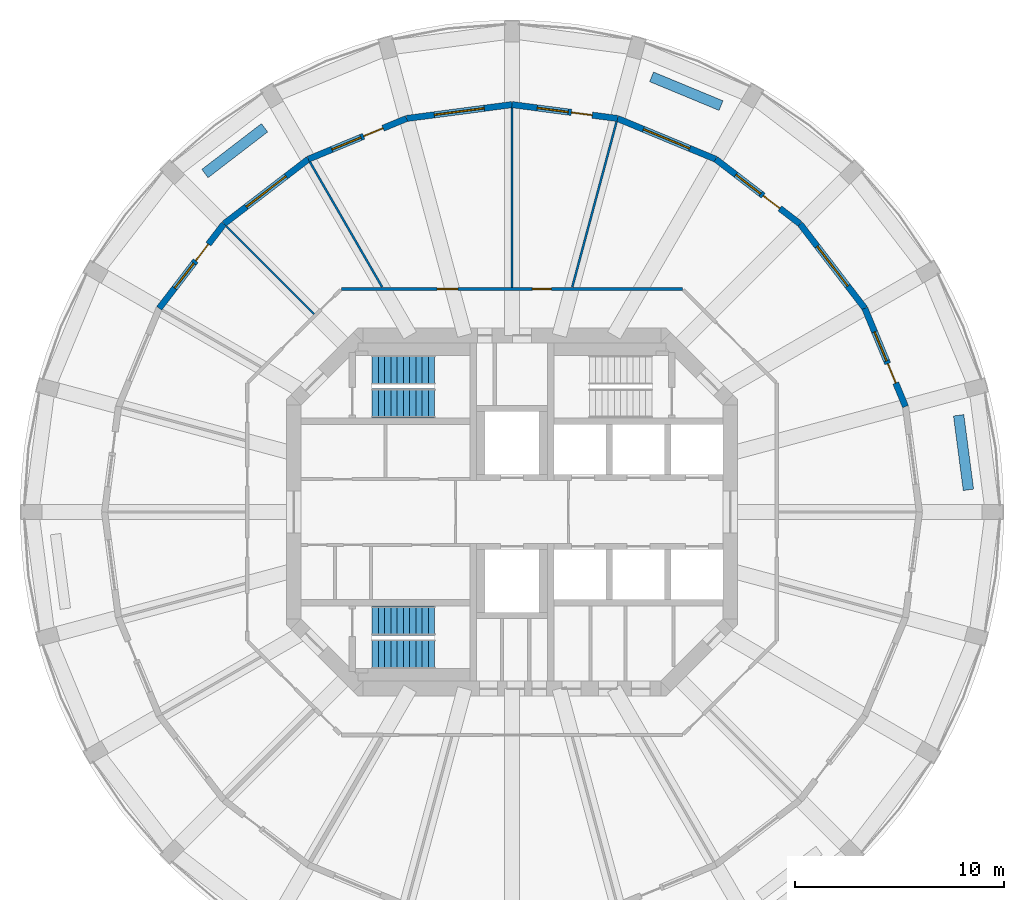
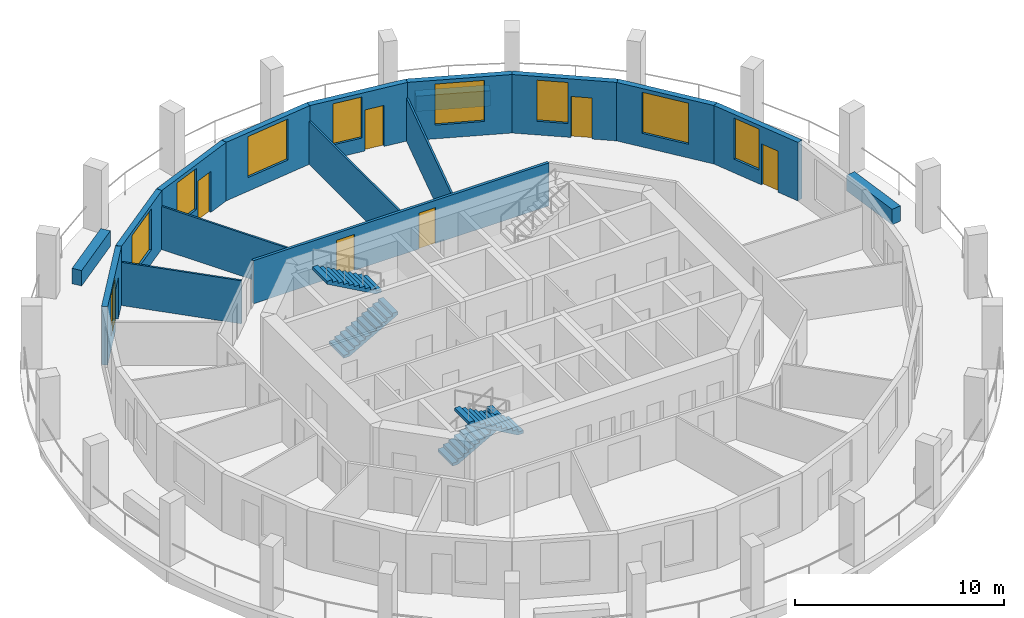
# One storey, part 6 of 9: 17 walls, 9 windows, 7 doors, 4 stair flights, 16 openings, 2 elements without a shape of their own.
"""IFC4 building model written with IfcOpenShell, lengths in metres."""

from ifc_helpers import new_model, si_unit, direction, frame, frame_2d, origin, place, context, subcontext, project, spatial, polyline, rectangle, outline, extrude, material, layer, layer_set, type_object, element, fill, aggregate, save


model = new_model("IFC4")

# Units and contexts
model_context = context("Model", 3, precision=1e-05, world=origin(), true_north=direction((0.0, 1.0)))
body_context = subcontext(model_context, "Body", "Model", "MODEL_VIEW")
ifc_project = project(units=[si_unit("LENGTHUNIT", "METRE"), si_unit("AREAUNIT", "SQUARE_METRE"), si_unit("VOLUMEUNIT", "CUBIC_METRE"), si_unit("PLANEANGLEUNIT", "RADIAN"), si_unit("MASSUNIT", "GRAM", prefix="KILO")], contexts=[model_context])

# Site, building, storey
site_placement = place(None, origin())
site = spatial("IfcSite", under=ifc_project, at=site_placement, CompositionType="ELEMENT")
building_placement = place(site_placement, origin())
building = spatial("IfcBuilding", under=site, at=building_placement, Name="Torre Triforio", CompositionType="ELEMENT")
storey_placement = place(building_placement, frame((0.0, 0.0, 215.0)))
storey = spatial("IfcBuildingStorey", under=building, at=storey_placement, Name="L49", CompositionType="ELEMENT", Elevation=215.0)

# Wall, openings, doors
ifc_material_1 = material(Name="Plasterboard on metal studs")
ifc_layer_1 = layer(ifc_material_1, 0.14990234375)
ifc_layer_set_1 = layer_set([ifc_layer_1], Name="Plasterboard on metal studs")
wall_type_1 = type_object("IfcWallType", Name="Corridor and tenancy wall 150 mm EI 60", PredefinedType="PARTITIONING", material=ifc_layer_set_1)
wall_1_placement = place(storey_placement, frame((-8.16650390625, 10.675048828125, 0.0), z_axis=(0.0, 0.0, 1.0), x_axis=(1.0, 0.0, 0.0)))
wall_1 = element("IfcWall", 1, at=wall_1_placement, inside=storey, type_object=wall_type_1, Name="Partition 8", PredefinedType="PARTITIONING", context=body_context, shape_type="SweptSolid", body=[
    extrude(rectangle(XDim=16.3330078125, YDim=0.14990234375, at=frame_2d((8.16650390625, 0.0))), origin(), (0.0, 0.0, 1.0), 2.52001953125),
])
opening_1_placement = place(wall_1_placement, frame((9.147705078125, 0.0, 0.0)))
opening_1 = element("IfcOpeningElement", 2, at=opening_1_placement, cuts=wall_1, Name="Opening O6-07", PredefinedType="OPENING", context=body_context, shape_type="SweptSolid", body=[
    extrude(rectangle(XDim=0.89990234375, YDim=2.10009765625, at=frame_2d((0.449951171875, 1.050048828125))), frame((0.0, 0.0849609375, 0.0), z_axis=(0.0, -1.0, 0.0), x_axis=(1.0, 0.0, 0.0)), (0.0, 0.0, 1.0), 0.169921875),
])
opening_2_placement = place(wall_1_placement, frame((4.5810546875, 0.0, 0.0)))
opening_2 = element("IfcOpeningElement", 3, at=opening_2_placement, cuts=wall_1, Name="Opening O6-08", PredefinedType="OPENING", context=body_context, shape_type="SweptSolid", body=[
    extrude(rectangle(XDim=1.0, YDim=2.10009765625, at=frame_2d((0.5, 1.050048828125))), frame((0.0, 0.0849609375, 0.0), z_axis=(0.0, -1.0, 0.0), x_axis=(1.0, 0.0, 0.0)), (0.0, 0.0, 1.0), 0.169921875),
])
ifc_material_2 = material(Name="Timber", Category="wood")
door_type_1 = type_object("IfcDoorType", Name="Door 1000 x 2100 single leaf EI 30", OperationType="NOTDEFINED", PredefinedType="DOOR", material=ifc_material_2)
door_1_placement = place(opening_2_placement, origin())
door_1 = element("IfcDoor", 4, at=door_1_placement, inside=storey, type_object=door_type_1, Name="Door O6-08", OperationType="SINGLE_SWING_RIGHT", OverallHeight=2.10009765625, OverallWidth=1.0, PredefinedType="DOOR", context=body_context, shape_type="SweptSolid", body=[
    extrude(rectangle(XDim=1.0, YDim=2.10009765625, at=frame_2d((0.5, 1.050048828125))), frame((0.0, 0.02490234375, 0.0), z_axis=(0.0, -1.0, 0.0), x_axis=(1.0, 0.0, 0.0)), (0.0, 0.0, 1.0), 0.050048828125),
])
fill(opening_2, door_1)
door_type_2 = type_object("IfcDoorType", Name="Door 900 x 2100 single leaf EI 30", OperationType="NOTDEFINED", PredefinedType="DOOR", material=ifc_material_2)
door_2_placement = place(opening_1_placement, origin())
door_2 = element("IfcDoor", 5, at=door_2_placement, inside=storey, type_object=door_type_2, Name="Door O6-07", OperationType="SINGLE_SWING_LEFT", OverallHeight=2.10009765625, OverallWidth=0.89990234375, PredefinedType="DOOR", context=body_context, shape_type="SweptSolid", body=[
    extrude(rectangle(XDim=0.89990234375, YDim=2.10009765625, at=frame_2d((0.449951171875, 1.050048828125))), frame((0.0, 0.02490234375, 0.0), z_axis=(0.0, -1.0, 0.0), x_axis=(1.0, 0.0, 0.0)), (0.0, 0.0, 1.0), 0.050048828125),
])
fill(opening_1, door_2)

# Walls
ifc_layer_2 = layer(ifc_material_1, 0.10009765625)
ifc_layer_set_2 = layer_set([ifc_layer_2], Name="Plasterboard on metal studs")
wall_type_2 = type_object("IfcWallType", Name="Partition 100 mm board on metal studs", PredefinedType="PARTITIONING", material=ifc_layer_set_2)
wall_2_placement = place(storey_placement, frame((2.88427734375, 10.764404296875, 0.0), z_axis=(0.0, 0.0, 1.0), x_axis=(0.258818011497, 0.965926103242, 0.0)))
element("IfcWall", 6, at=wall_2_placement, inside=storey, type_object=wall_type_2, Name="Partition 12", PredefinedType="PARTITIONING", context=body_context, shape_type="SweptSolid", body=[
    extrude(rectangle(XDim=8.1923828125, YDim=0.10009765625, at=frame_2d((4.09619140625, 0.0))), origin(), (0.0, 0.0, 1.0), 2.52001953125),
])
wall_3_placement = place(storey_placement, frame((0.0, 10.75, 0.0), z_axis=(0.0, 0.0, 1.0), x_axis=(0.0, 1.0, 0.0)))
element("IfcWall", 7, at=wall_3_placement, inside=storey, type_object=wall_type_2, Name="Partition 13", PredefinedType="PARTITIONING", context=body_context, shape_type="SweptSolid", body=[
    extrude(rectangle(XDim=8.586669921875, YDim=0.10009765625, at=frame_2d((4.29345703125, 0.0))), origin(), (0.0, 0.0, 1.0), 2.52001953125),
])
wall_4_placement = place(storey_placement, frame((-6.220703125, 10.774658203125, 0.0), z_axis=(0.0, 0.0, 1.0), x_axis=(-0.500015661236, 0.866016361577, 0.0)))
element("IfcWall", 8, at=wall_4_placement, inside=storey, type_object=wall_type_2, Name="Partition 14", PredefinedType="PARTITIONING", context=body_context, shape_type="SweptSolid", body=[
    extrude(rectangle(XDim=6.895263671875, YDim=0.10009765625, at=frame_2d((3.44775390625, 0.0))), origin(), (0.0, 0.0, 1.0), 2.52001953125),
])
wall_5_placement = place(storey_placement, frame((-9.473876953125, 9.473876953125, 0.0), z_axis=(0.0, 0.0, 1.0), x_axis=(-0.707106781187, 0.707106781187, 0.0)))
element("IfcWall", 9, at=wall_5_placement, inside=storey, type_object=wall_type_2, Name="Partition 15", PredefinedType="PARTITIONING", context=body_context, shape_type="SweptSolid", body=[
    extrude(rectangle(XDim=5.9384765625, YDim=0.10009765625, at=frame_2d((2.96923828125, 0.0))), origin(), (0.0, 0.0, 1.0), 2.52001953125),
])
ifc_material_3 = material(Name="Limestone cladding", Category="masonry")
ifc_layer_3 = layer(ifc_material_3, 0.10009765625)
ifc_material_4 = material(Name="Concrete C40", Category="concrete")
ifc_layer_4 = layer(ifc_material_4, 0.39990234375)
ifc_layer_set_3 = layer_set([ifc_layer_3, ifc_layer_4], Name="Limestone cladding / Concrete C40")
wall_type_3 = type_object("IfcWallType", Name="Planter wall 500", PredefinedType="PARAPET", material=ifc_layer_set_3)
for number, where, z_axis, x_axis, name in (
    (10, (21.848388671875, 1.060791015625, 0.0), (0.0, 0.0, 1.0), (-0.130475563272, 0.991451525486, 0.0), "Planter L49 bay 01"),
    (11, (10.005615234375, 19.45166015625, 0.0), (0.0, 0.0, 1.0), (-0.923885420167, 0.382669217998, 0.0), "Planter L49 bay 05"),
):
    element("IfcWall", number, at=place(storey_placement, frame(where, z_axis=z_axis, x_axis=x_axis)), inside=storey, type_object=wall_type_3, Name=name, PredefinedType="PARAPET", context=body_context, shape_type="SweptSolid", body=[
        extrude(rectangle(XDim=3.60009765625, YDim=0.5, at=frame_2d((1.800048828125, 0.0))), origin(), (0.0, 0.0, 1.0), 0.89990234375),
    ])
wall_6_placement = place(storey_placement, frame((-11.843017578125, 18.390869140625, 0.0), z_axis=(0.0, 0.0, 1.0), x_axis=(-0.793326845617, -0.608795955984, 0.0)))
element("IfcWall", 12, at=wall_6_placement, inside=storey, type_object=wall_type_3, Name="Planter L49 bay 09", PredefinedType="PARAPET", context=body_context, shape_type="SweptSolid", body=[
    extrude(rectangle(XDim=3.599853515625, YDim=0.5, at=frame_2d((1.7998046875, 0.0))), origin(), (0.0, 0.0, 1.0), 0.89990234375),
])

# Wall, openings, door, window
ifc_layer_5 = layer(ifc_material_3, 0.10009765625)
ifc_layer_6 = layer(ifc_material_4, 0.199951171875)
ifc_layer_set_4 = layer_set([ifc_layer_5, ifc_layer_6], Name="Limestone cladding / Concrete C40")
wall_type_4 = type_object("IfcWallType", Name="Stone-faced composite wall 300", PredefinedType="STANDARD", material=ifc_layer_set_4)
wall_7_placement = place(storey_placement, frame((18.835693359375, 5.047119140625, 0.0), z_axis=(0.0, 0.0, 1.0), x_axis=(-0.382724538613, 0.923862504675, 0.0)))
wall_7 = element("IfcWall", 13, at=wall_7_placement, inside=storey, type_object=wall_type_4, Name="External wall L49 bay 02", PredefinedType="STANDARD", context=body_context, shape_type="SweptSolid", body=[
    extrude(rectangle(XDim=5.090576171875, YDim=0.300048828125, at=frame_2d((2.54541015625, 0.0))), origin(), (0.0, 0.0, 1.0), 3.419921875),
])
opening_3_placement = place(wall_7_placement, frame((1.22021484375, 0.0, 0.0)))
opening_3 = element("IfcOpeningElement", 14, at=opening_3_placement, cuts=wall_7, Name="Opening O6-D02", PredefinedType="OPENING", context=body_context, shape_type="SweptSolid", body=[
    extrude(rectangle(XDim=1.0, YDim=2.39990234375, at=frame_2d((0.5, 1.199951171875))), frame((0.0, 0.159912109375, 0.0), z_axis=(0.0, -1.0, 0.0), x_axis=(1.0, 0.0, 0.0)), (0.0, 0.0, 1.0), 0.320068359375),
])
opening_4_placement = place(wall_7_placement, frame((2.370361328125, 0.0, 0.800048828125)))
opening_4 = element("IfcOpeningElement", 15, at=opening_4_placement, cuts=wall_7, Name="Opening O6-W02A", PredefinedType="OPENING", context=body_context, shape_type="SweptSolid", body=[
    extrude(rectangle(XDim=1.5, YDim=2.39990234375, at=frame_2d((0.75, 1.199951171875))), frame((0.0, 0.159912109375, 0.0), z_axis=(0.0, -1.0, 0.0), x_axis=(1.0, 0.0, 0.0)), (0.0, 0.0, 1.0), 0.320068359375),
])
ifc_material_5 = material(Name="Aluminium frame with clear double glazing", Category="aluminium")
door_type_3 = type_object("IfcDoorType", Name="Loggia door 1000 x 2400", OperationType="NOTDEFINED", PredefinedType="DOOR", material=ifc_material_5)
door_3_placement = place(opening_3_placement, origin())
door_3 = element("IfcDoor", 16, at=door_3_placement, inside=storey, type_object=door_type_3, Name="Loggia door L49 bay 02", OperationType="SINGLE_SWING_LEFT", OverallHeight=2.39990234375, OverallWidth=1.0, PredefinedType="DOOR", context=body_context, shape_type="SweptSolid", body=[
    extrude(rectangle(XDim=1.0, YDim=2.39990234375, at=frame_2d((0.5, 1.199951171875))), frame((0.0, 0.02490234375, 0.0), z_axis=(0.0, -1.0, 0.0), x_axis=(1.0, 0.0, 0.0)), (0.0, 0.0, 1.0), 0.050048828125),
])
fill(opening_3, door_3)
window_type_1 = type_object("IfcWindowType", Name="Side window 1500 x 2400", PartitioningType="SINGLE_PANEL", PredefinedType="WINDOW", material=ifc_material_5)
window_1_placement = place(opening_4_placement, origin())
window_1 = element("IfcWindow", 17, at=window_1_placement, inside=storey, type_object=window_type_1, Name="Side window EWN14 L49 bay 02", OverallHeight=2.39990234375, OverallWidth=1.5, PartitioningType="SINGLE_PANEL", PredefinedType="WINDOW", context=body_context, shape_type="SweptSolid", body=[
    extrude(rectangle(XDim=1.5, YDim=2.39990234375, at=frame_2d((0.75, 1.199951171875))), frame((0.0, 0.030029296875, 0.0), z_axis=(0.0, -1.0, 0.0), x_axis=(1.0, 0.0, 0.0)), (0.0, 0.0, 1.0), 0.06005859375),
])
fill(opening_4, window_1)

# Wall, opening, window
wall_8_placement = place(storey_placement, frame((16.887451171875, 9.75, 0.0), z_axis=(0.0, 0.0, 1.0), x_axis=(-0.608757714995, 0.79335619014, 0.0)))
wall_8 = element("IfcWall", 18, at=wall_8_placement, inside=storey, type_object=wall_type_4, Name="External wall L49 bay 03", PredefinedType="STANDARD", context=body_context, shape_type="SweptSolid", body=[
    extrude(rectangle(XDim=5.090576171875, YDim=0.300048828125, at=frame_2d((2.54541015625, 0.0))), origin(), (0.0, 0.0, 1.0), 3.419921875),
])
opening_5_placement = place(wall_8_placement, frame((1.34521484375, 0.0, 0.800048828125)))
opening_5 = element("IfcOpeningElement", 19, at=opening_5_placement, cuts=wall_8, Name="Opening O6-W03", PredefinedType="OPENING", context=body_context, shape_type="SweptSolid", body=[
    extrude(rectangle(XDim=2.39990234375, YDim=2.39990234375, at=frame_2d((1.199951171875, 1.199951171875))), frame((0.0, 0.159912109375, 0.0), z_axis=(0.0, -1.0, 0.0), x_axis=(1.0, 0.0, 0.0)), (0.0, 0.0, 1.0), 0.320068359375),
])
window_type_2 = type_object("IfcWindowType", Name="Punched window 2400 x 2400", PartitioningType="DOUBLE_PANEL_VERTICAL", PredefinedType="WINDOW", material=ifc_material_5)
window_2_placement = place(opening_5_placement, origin())
window_2 = element("IfcWindow", 20, at=window_2_placement, inside=storey, type_object=window_type_2, Name="Window EWN4 L49 bay 03", OverallHeight=2.39990234375, OverallWidth=2.39990234375, PartitioningType="SINGLE_PANEL", PredefinedType="WINDOW", context=body_context, shape_type="SweptSolid", body=[
    extrude(rectangle(XDim=2.39990234375, YDim=2.39990234375, at=frame_2d((1.199951171875, 1.199951171875))), frame((0.0, 0.030029296875, 0.0), z_axis=(0.0, -1.0, 0.0), x_axis=(1.0, 0.0, 0.0)), (0.0, 0.0, 1.0), 0.06005859375),
])
fill(opening_5, window_2)

# Wall, openings, door, window
wall_9_placement = place(storey_placement, frame((13.78857421875, 13.78857421875, 0.0), z_axis=(0.0, 0.0, 1.0), x_axis=(-0.79335619014, 0.608757714995, 0.0)))
wall_9 = element("IfcWall", 21, at=wall_9_placement, inside=storey, type_object=wall_type_4, Name="External wall L49 bay 04", PredefinedType="STANDARD", context=body_context, shape_type="SweptSolid", body=[
    extrude(rectangle(XDim=5.090576171875, YDim=0.300048828125, at=frame_2d((2.54541015625, 0.0))), origin(), (0.0, 0.0, 1.0), 3.419921875),
])
opening_6_placement = place(wall_9_placement, frame((1.22021484375, 0.0, 0.0)))
opening_6 = element("IfcOpeningElement", 22, at=opening_6_placement, cuts=wall_9, Name="Opening O6-D04", PredefinedType="OPENING", context=body_context, shape_type="SweptSolid", body=[
    extrude(rectangle(XDim=1.0, YDim=2.39990234375, at=frame_2d((0.5, 1.199951171875))), frame((0.0, 0.159912109375, 0.0), z_axis=(0.0, -1.0, 0.0), x_axis=(1.0, 0.0, 0.0)), (0.0, 0.0, 1.0), 0.320068359375),
])
opening_7_placement = place(wall_9_placement, frame((2.370361328125, 0.0, 0.800048828125)))
opening_7 = element("IfcOpeningElement", 23, at=opening_7_placement, cuts=wall_9, Name="Opening O6-W04A", PredefinedType="OPENING", context=body_context, shape_type="SweptSolid", body=[
    extrude(rectangle(XDim=1.5, YDim=2.39990234375, at=frame_2d((0.75, 1.199951171875))), frame((0.0, 0.159912109375, 0.0), z_axis=(0.0, -1.0, 0.0), x_axis=(1.0, 0.0, 0.0)), (0.0, 0.0, 1.0), 0.320068359375),
])
door_4_placement = place(opening_6_placement, origin())
door_4 = element("IfcDoor", 24, at=door_4_placement, inside=storey, type_object=door_type_3, Name="Loggia door L49 bay 04", OperationType="SINGLE_SWING_LEFT", OverallHeight=2.39990234375, OverallWidth=1.0, PredefinedType="DOOR", context=body_context, shape_type="SweptSolid", body=[
    extrude(rectangle(XDim=1.0, YDim=2.39990234375, at=frame_2d((0.5, 1.199951171875))), frame((0.0, 0.02490234375, 0.0), z_axis=(0.0, -1.0, 0.0), x_axis=(1.0, 0.0, 0.0)), (0.0, 0.0, 1.0), 0.050048828125),
])
fill(opening_6, door_4)
window_3_placement = place(opening_7_placement, origin())
window_3 = element("IfcWindow", 25, at=window_3_placement, inside=storey, type_object=window_type_1, Name="Side window EWN14 L49 bay 04", OverallHeight=2.39990234375, OverallWidth=1.5, PartitioningType="SINGLE_PANEL", PredefinedType="WINDOW", context=body_context, shape_type="SweptSolid", body=[
    extrude(rectangle(XDim=1.5, YDim=2.39990234375, at=frame_2d((0.75, 1.199951171875))), frame((0.0, 0.030029296875, 0.0), z_axis=(0.0, -1.0, 0.0), x_axis=(1.0, 0.0, 0.0)), (0.0, 0.0, 1.0), 0.06005859375),
])
fill(opening_7, window_3)

# Wall, opening, window
wall_10_placement = place(storey_placement, frame((9.75, 16.887451171875, 0.0), z_axis=(0.0, 0.0, 1.0), x_axis=(-0.923862504675, 0.382724538613, 0.0)))
wall_10 = element("IfcWall", 26, at=wall_10_placement, inside=storey, type_object=wall_type_4, Name="External wall L49 bay 05", PredefinedType="STANDARD", context=body_context, shape_type="SweptSolid", body=[
    extrude(rectangle(XDim=5.090576171875, YDim=0.300048828125, at=frame_2d((2.54541015625, 0.0))), origin(), (0.0, 0.0, 1.0), 3.419921875),
])
opening_8_placement = place(wall_10_placement, frame((1.34521484375, 0.0, 0.800048828125)))
opening_8 = element("IfcOpeningElement", 27, at=opening_8_placement, cuts=wall_10, Name="Opening O6-W05", PredefinedType="OPENING", context=body_context, shape_type="SweptSolid", body=[
    extrude(rectangle(XDim=2.39990234375, YDim=2.39990234375, at=frame_2d((1.199951171875, 1.199951171875))), frame((0.0, 0.159912109375, 0.0), z_axis=(0.0, -1.0, 0.0), x_axis=(1.0, 0.0, 0.0)), (0.0, 0.0, 1.0), 0.320068359375),
])
window_4_placement = place(opening_8_placement, origin())
window_4 = element("IfcWindow", 28, at=window_4_placement, inside=storey, type_object=window_type_2, Name="Window EWN4 L49 bay 05", OverallHeight=2.39990234375, OverallWidth=2.39990234375, PartitioningType="SINGLE_PANEL", PredefinedType="WINDOW", context=body_context, shape_type="SweptSolid", body=[
    extrude(rectangle(XDim=2.39990234375, YDim=2.39990234375, at=frame_2d((1.199951171875, 1.199951171875))), frame((0.0, 0.030029296875, 0.0), z_axis=(0.0, -1.0, 0.0), x_axis=(1.0, 0.0, 0.0)), (0.0, 0.0, 1.0), 0.06005859375),
])
fill(opening_8, window_4)

# Wall, openings, door, window
wall_11_placement = place(storey_placement, frame((5.047119140625, 18.835693359375, 0.0), z_axis=(0.0, 0.0, 1.0), x_axis=(-0.99144890792, 0.130495451964, 0.0)))
wall_11 = element("IfcWall", 29, at=wall_11_placement, inside=storey, type_object=wall_type_4, Name="External wall L49 bay 06", PredefinedType="STANDARD", context=body_context, shape_type="SweptSolid", body=[
    extrude(rectangle(XDim=5.090576171875, YDim=0.300048828125, at=frame_2d((2.54541015625, 0.0))), origin(), (0.0, 0.0, 1.0), 3.419921875),
])
opening_9_placement = place(wall_11_placement, frame((1.22021484375, 0.0, 0.0)))
opening_9 = element("IfcOpeningElement", 30, at=opening_9_placement, cuts=wall_11, Name="Opening O6-D06", PredefinedType="OPENING", context=body_context, shape_type="SweptSolid", body=[
    extrude(rectangle(XDim=1.0, YDim=2.39990234375, at=frame_2d((0.5, 1.199951171875))), frame((0.0, 0.159912109375, 0.0), z_axis=(0.0, -1.0, 0.0), x_axis=(1.0, 0.0, 0.0)), (0.0, 0.0, 1.0), 0.320068359375),
])
opening_10_placement = place(wall_11_placement, frame((2.370361328125, 0.0, 0.800048828125)))
opening_10 = element("IfcOpeningElement", 31, at=opening_10_placement, cuts=wall_11, Name="Opening O6-W06A", PredefinedType="OPENING", context=body_context, shape_type="SweptSolid", body=[
    extrude(rectangle(XDim=1.5, YDim=2.39990234375, at=frame_2d((0.75, 1.199951171875))), frame((0.0, 0.159912109375, 0.0), z_axis=(0.0, -1.0, 0.0), x_axis=(1.0, 0.0, 0.0)), (0.0, 0.0, 1.0), 0.320068359375),
])
door_5_placement = place(opening_9_placement, origin())
door_5 = element("IfcDoor", 32, at=door_5_placement, inside=storey, type_object=door_type_3, Name="Loggia door L49 bay 06", OperationType="SINGLE_SWING_LEFT", OverallHeight=2.39990234375, OverallWidth=1.0, PredefinedType="DOOR", context=body_context, shape_type="SweptSolid", body=[
    extrude(rectangle(XDim=1.0, YDim=2.39990234375, at=frame_2d((0.5, 1.199951171875))), frame((0.0, 0.02490234375, 0.0), z_axis=(0.0, -1.0, 0.0), x_axis=(1.0, 0.0, 0.0)), (0.0, 0.0, 1.0), 0.050048828125),
])
fill(opening_9, door_5)
window_5_placement = place(opening_10_placement, origin())
window_5 = element("IfcWindow", 33, at=window_5_placement, inside=storey, type_object=window_type_1, Name="Side window EWN14 L49 bay 06", OverallHeight=2.39990234375, OverallWidth=1.5, PartitioningType="SINGLE_PANEL", PredefinedType="WINDOW", context=body_context, shape_type="SweptSolid", body=[
    extrude(rectangle(XDim=1.5, YDim=2.39990234375, at=frame_2d((0.75, 1.199951171875))), frame((0.0, 0.030029296875, 0.0), z_axis=(0.0, -1.0, 0.0), x_axis=(1.0, 0.0, 0.0)), (0.0, 0.0, 1.0), 0.06005859375),
])
fill(opening_10, window_5)

# Wall, opening, window
wall_12_placement = place(storey_placement, frame((0.0, 19.5, 0.0), z_axis=(0.0, 0.0, 1.0), x_axis=(-0.99144890792, -0.130495451964, 0.0)))
wall_12 = element("IfcWall", 34, at=wall_12_placement, inside=storey, type_object=wall_type_4, Name="External wall L49 bay 07", PredefinedType="STANDARD", context=body_context, shape_type="SweptSolid", body=[
    extrude(rectangle(XDim=5.090576171875, YDim=0.300048828125, at=frame_2d((2.54541015625, 0.0))), origin(), (0.0, 0.0, 1.0), 3.419921875),
])
opening_11_placement = place(wall_12_placement, frame((1.34521484375, 0.0, 0.800048828125)))
opening_11 = element("IfcOpeningElement", 35, at=opening_11_placement, cuts=wall_12, Name="Opening O6-W07", PredefinedType="OPENING", context=body_context, shape_type="SweptSolid", body=[
    extrude(rectangle(XDim=2.39990234375, YDim=2.39990234375, at=frame_2d((1.199951171875, 1.199951171875))), frame((0.0, 0.159912109375, 0.0), z_axis=(0.0, -1.0, 0.0), x_axis=(1.0, 0.0, 0.0)), (0.0, 0.0, 1.0), 0.320068359375),
])
window_6_placement = place(opening_11_placement, origin())
window_6 = element("IfcWindow", 36, at=window_6_placement, inside=storey, type_object=window_type_2, Name="Window EWN4 L49 bay 07", OverallHeight=2.39990234375, OverallWidth=2.39990234375, PartitioningType="SINGLE_PANEL", PredefinedType="WINDOW", context=body_context, shape_type="SweptSolid", body=[
    extrude(rectangle(XDim=2.39990234375, YDim=2.39990234375, at=frame_2d((1.199951171875, 1.199951171875))), frame((0.0, 0.030029296875, 0.0), z_axis=(0.0, -1.0, 0.0), x_axis=(1.0, 0.0, 0.0)), (0.0, 0.0, 1.0), 0.06005859375),
])
fill(opening_11, window_6)

# Wall, openings, door, window
wall_13_placement = place(storey_placement, frame((-5.047119140625, 18.835693359375, 0.0), z_axis=(0.0, 0.0, 1.0), x_axis=(-0.923862504675, -0.382724538613, 0.0)))
wall_13 = element("IfcWall", 37, at=wall_13_placement, inside=storey, type_object=wall_type_4, Name="External wall L49 bay 08", PredefinedType="STANDARD", context=body_context, shape_type="SweptSolid", body=[
    extrude(rectangle(XDim=5.090576171875, YDim=0.300048828125, at=frame_2d((2.54541015625, 0.0))), origin(), (0.0, 0.0, 1.0), 3.419921875),
])
opening_12_placement = place(wall_13_placement, frame((1.22021484375, 0.0, 0.0)))
opening_12 = element("IfcOpeningElement", 38, at=opening_12_placement, cuts=wall_13, Name="Opening O6-D08", PredefinedType="OPENING", context=body_context, shape_type="SweptSolid", body=[
    extrude(rectangle(XDim=1.0, YDim=2.39990234375, at=frame_2d((0.5, 1.199951171875))), frame((0.0, 0.159912109375, 0.0), z_axis=(0.0, -1.0, 0.0), x_axis=(1.0, 0.0, 0.0)), (0.0, 0.0, 1.0), 0.320068359375),
])
opening_13_placement = place(wall_13_placement, frame((2.370361328125, 0.0, 0.800048828125)))
opening_13 = element("IfcOpeningElement", 39, at=opening_13_placement, cuts=wall_13, Name="Opening O6-W08A", PredefinedType="OPENING", context=body_context, shape_type="SweptSolid", body=[
    extrude(rectangle(XDim=1.5, YDim=2.39990234375, at=frame_2d((0.75, 1.199951171875))), frame((0.0, 0.159912109375, 0.0), z_axis=(0.0, -1.0, 0.0), x_axis=(1.0, 0.0, 0.0)), (0.0, 0.0, 1.0), 0.320068359375),
])
door_6_placement = place(opening_12_placement, origin())
door_6 = element("IfcDoor", 40, at=door_6_placement, inside=storey, type_object=door_type_3, Name="Loggia door L49 bay 08", OperationType="SINGLE_SWING_LEFT", OverallHeight=2.39990234375, OverallWidth=1.0, PredefinedType="DOOR", context=body_context, shape_type="SweptSolid", body=[
    extrude(rectangle(XDim=1.0, YDim=2.39990234375, at=frame_2d((0.5, 1.199951171875))), frame((0.0, 0.02490234375, 0.0), z_axis=(0.0, -1.0, 0.0), x_axis=(1.0, 0.0, 0.0)), (0.0, 0.0, 1.0), 0.050048828125),
])
fill(opening_12, door_6)
window_7_placement = place(opening_13_placement, origin())
window_7 = element("IfcWindow", 41, at=window_7_placement, inside=storey, type_object=window_type_1, Name="Side window EWN14 L49 bay 08", OverallHeight=2.39990234375, OverallWidth=1.5, PartitioningType="SINGLE_PANEL", PredefinedType="WINDOW", context=body_context, shape_type="SweptSolid", body=[
    extrude(rectangle(XDim=1.5, YDim=2.39990234375, at=frame_2d((0.75, 1.199951171875))), frame((0.0, 0.030029296875, 0.0), z_axis=(0.0, -1.0, 0.0), x_axis=(1.0, 0.0, 0.0)), (0.0, 0.0, 1.0), 0.06005859375),
])
fill(opening_13, window_7)

# Wall, opening, window
wall_14_placement = place(storey_placement, frame((-9.75, 16.887451171875, 0.0), z_axis=(0.0, 0.0, 1.0), x_axis=(-0.79335619014, -0.608757714995, 0.0)))
wall_14 = element("IfcWall", 42, at=wall_14_placement, inside=storey, type_object=wall_type_4, Name="External wall L49 bay 09", PredefinedType="STANDARD", context=body_context, shape_type="SweptSolid", body=[
    extrude(rectangle(XDim=5.090576171875, YDim=0.300048828125, at=frame_2d((2.54541015625, 0.0))), origin(), (0.0, 0.0, 1.0), 3.419921875),
])
opening_14_placement = place(wall_14_placement, frame((1.34521484375, 0.0, 0.800048828125)))
opening_14 = element("IfcOpeningElement", 43, at=opening_14_placement, cuts=wall_14, Name="Opening O6-W09", PredefinedType="OPENING", context=body_context, shape_type="SweptSolid", body=[
    extrude(rectangle(XDim=2.39990234375, YDim=2.39990234375, at=frame_2d((1.199951171875, 1.199951171875))), frame((0.0, 0.159912109375, 0.0), z_axis=(0.0, -1.0, 0.0), x_axis=(1.0, 0.0, 0.0)), (0.0, 0.0, 1.0), 0.320068359375),
])
window_8_placement = place(opening_14_placement, origin())
window_8 = element("IfcWindow", 44, at=window_8_placement, inside=storey, type_object=window_type_2, Name="Window EWN4 L49 bay 09", OverallHeight=2.39990234375, OverallWidth=2.39990234375, PartitioningType="SINGLE_PANEL", PredefinedType="WINDOW", context=body_context, shape_type="SweptSolid", body=[
    extrude(rectangle(XDim=2.39990234375, YDim=2.39990234375, at=frame_2d((1.199951171875, 1.199951171875))), frame((0.0, 0.030029296875, 0.0), z_axis=(0.0, -1.0, 0.0), x_axis=(1.0, 0.0, 0.0)), (0.0, 0.0, 1.0), 0.06005859375),
])
fill(opening_14, window_8)

# Wall, openings, door, window
wall_15_placement = place(storey_placement, frame((-13.78857421875, 13.78857421875, 0.0), z_axis=(0.0, 0.0, 1.0), x_axis=(-0.608757714995, -0.79335619014, 0.0)))
wall_15 = element("IfcWall", 45, at=wall_15_placement, inside=storey, type_object=wall_type_4, Name="External wall L49 bay 10", PredefinedType="STANDARD", context=body_context, shape_type="SweptSolid", body=[
    extrude(rectangle(XDim=5.090576171875, YDim=0.300048828125, at=frame_2d((2.54541015625, 0.0))), origin(), (0.0, 0.0, 1.0), 3.419921875),
])
opening_15_placement = place(wall_15_placement, frame((1.22021484375, 0.0, 0.0)))
opening_15 = element("IfcOpeningElement", 46, at=opening_15_placement, cuts=wall_15, Name="Opening O6-D10", PredefinedType="OPENING", context=body_context, shape_type="SweptSolid", body=[
    extrude(rectangle(XDim=1.0, YDim=2.39990234375, at=frame_2d((0.5, 1.199951171875))), frame((0.0, 0.159912109375, 0.0), z_axis=(0.0, -1.0, 0.0), x_axis=(1.0, 0.0, 0.0)), (0.0, 0.0, 1.0), 0.320068359375),
])
opening_16_placement = place(wall_15_placement, frame((2.370361328125, 0.0, 0.800048828125)))
opening_16 = element("IfcOpeningElement", 47, at=opening_16_placement, cuts=wall_15, Name="Opening O6-W10A", PredefinedType="OPENING", context=body_context, shape_type="SweptSolid", body=[
    extrude(rectangle(XDim=1.5, YDim=2.39990234375, at=frame_2d((0.75, 1.199951171875))), frame((0.0, 0.159912109375, 0.0), z_axis=(0.0, -1.0, 0.0), x_axis=(1.0, 0.0, 0.0)), (0.0, 0.0, 1.0), 0.320068359375),
])
door_7_placement = place(opening_15_placement, origin())
door_7 = element("IfcDoor", 48, at=door_7_placement, inside=storey, type_object=door_type_3, Name="Loggia door L49 bay 10", OperationType="SINGLE_SWING_LEFT", OverallHeight=2.39990234375, OverallWidth=1.0, PredefinedType="DOOR", context=body_context, shape_type="SweptSolid", body=[
    extrude(rectangle(XDim=1.0, YDim=2.39990234375, at=frame_2d((0.5, 1.199951171875))), frame((0.0, 0.02490234375, 0.0), z_axis=(0.0, -1.0, 0.0), x_axis=(1.0, 0.0, 0.0)), (0.0, 0.0, 1.0), 0.050048828125),
])
fill(opening_15, door_7)
window_9_placement = place(opening_16_placement, origin())
window_9 = element("IfcWindow", 49, at=window_9_placement, inside=storey, type_object=window_type_1, Name="Side window EWN14 L49 bay 10", OverallHeight=2.39990234375, OverallWidth=1.5, PartitioningType="SINGLE_PANEL", PredefinedType="WINDOW", context=body_context, shape_type="SweptSolid", body=[
    extrude(rectangle(XDim=1.5, YDim=2.39990234375, at=frame_2d((0.75, 1.199951171875))), frame((0.0, 0.030029296875, 0.0), z_axis=(0.0, -1.0, 0.0), x_axis=(1.0, 0.0, 0.0)), (0.0, 0.0, 1.0), 0.06005859375),
])
fill(opening_16, window_9)

# Stair, stair flights
stair_type = type_object("IfcStairType", Name="STAIR HALF-TURN", PredefinedType="HALF_TURN_STAIR", material=ifc_material_4)
stair_1_placement = place(storey_placement, origin())
stair_1 = element("IfcStair", 50, at=stair_1_placement, inside=storey, type_object=stair_type, Name="Exit stair 1", PredefinedType="HALF_TURN_STAIR")
stair_flight_type = type_object("IfcStairFlightType", Name="STAIR FLIGHT 1400", PredefinedType="STRAIGHT", material=ifc_material_4)
stair_flight_1_placement = place(storey_placement, frame((-6.699951171875, 5.199951171875, 0.0), z_axis=(0.0, 0.0, 1.0), x_axis=(1.0, 0.0, 0.0)))
stair_flight_1 = element("IfcStairFlight", 51, at=stair_flight_1_placement, type_object=stair_flight_type, Name="ST1 flight 1", NumberOfRisers=11, NumberOfTreads=10, PredefinedType="STRAIGHT", RiserHeight=0.168181818, TreadLength=0.3, context=body_context, shape_type="SweptSolid", body=[
    extrude(outline(polyline([(0.0, 0.0), (0.0, 0.168212890625), (0.300048828125, 0.168212890625), (0.300048828125, 0.33642578125), (0.60009765625, 0.33642578125), (0.60009765625, 0.504638671875), (0.89990234375, 0.504638671875), (0.89990234375, 0.672607421875), (1.199951171875, 0.672607421875), (1.199951171875, 0.8408203125), (1.5, 0.8408203125), (1.5, 1.009033203125), (1.800048828125, 1.009033203125), (1.800048828125, 1.17724609375), (2.10009765625, 1.17724609375), (2.10009765625, 1.345458984375), (2.39990234375, 1.345458984375), (2.39990234375, 1.513671875), (2.699951171875, 1.513671875), (2.699951171875, 1.681884765625), (3.0, 1.681884765625), (3.0, 1.85009765625), (3.0, 1.510009765625), (0.306640625, 0.0), (0.0, 0.0)])), frame((0.0, 0.699951171875, 0.0), z_axis=(0.0, -1.0, 0.0), x_axis=(1.0, 0.0, 0.0)), (0.0, 0.0, 1.0), 1.39990234375),
])
stair_flight_2_placement = place(storey_placement, frame((-3.699951171875, 6.800048828125, 1.85009765625), z_axis=(0.0, 0.0, 1.0), x_axis=(-1.0, 0.0, 0.0)))
stair_flight_2 = element("IfcStairFlight", 52, at=stair_flight_2_placement, type_object=stair_flight_type, Name="ST1 flight 2", NumberOfRisers=11, NumberOfTreads=10, PredefinedType="STRAIGHT", RiserHeight=0.168181818, TreadLength=0.3, context=body_context, shape_type="SweptSolid", body=[
    extrude(outline(polyline([(0.0, 0.0), (0.0, 0.168212890625), (0.300048828125, 0.168212890625), (0.300048828125, 0.33642578125), (0.60009765625, 0.33642578125), (0.60009765625, 0.504638671875), (0.89990234375, 0.504638671875), (0.89990234375, 0.672607421875), (1.199951171875, 0.672607421875), (1.199951171875, 0.8408203125), (1.5, 0.8408203125), (1.5, 1.009033203125), (1.800048828125, 1.009033203125), (1.800048828125, 1.17724609375), (2.10009765625, 1.17724609375), (2.10009765625, 1.345458984375), (2.39990234375, 1.345458984375), (2.39990234375, 1.513671875), (2.699951171875, 1.513671875), (2.699951171875, 1.681884765625), (3.0, 1.681884765625), (3.0, 1.85009765625), (3.0, 1.510009765625), (0.306640625, 0.0), (0.0, 0.0)])), frame((0.0, 0.699951171875, 0.0), z_axis=(0.0, -1.0, 0.0), x_axis=(1.0, 0.0, 0.0)), (0.0, 0.0, 1.0), 1.39990234375),
])
aggregate(stair_1, [stair_flight_1, stair_flight_2])

stair_2_placement = place(storey_placement, origin())
stair_2 = element("IfcStair", 53, at=stair_2_placement, inside=storey, type_object=stair_type, Name="Exit stair 3", PredefinedType="HALF_TURN_STAIR")
stair_flight_3_placement = place(storey_placement, frame((-6.699951171875, -5.199951171875, 0.0), z_axis=(0.0, 0.0, 1.0), x_axis=(1.0, 0.0, 0.0)))
stair_flight_3 = element("IfcStairFlight", 54, at=stair_flight_3_placement, type_object=stair_flight_type, Name="ST3 flight 1", NumberOfRisers=11, NumberOfTreads=10, PredefinedType="STRAIGHT", RiserHeight=0.168181818, TreadLength=0.3, context=body_context, shape_type="SweptSolid", body=[
    extrude(outline(polyline([(0.0, 0.0), (0.0, 0.168212890625), (0.300048828125, 0.168212890625), (0.300048828125, 0.33642578125), (0.60009765625, 0.33642578125), (0.60009765625, 0.504638671875), (0.89990234375, 0.504638671875), (0.89990234375, 0.672607421875), (1.199951171875, 0.672607421875), (1.199951171875, 0.8408203125), (1.5, 0.8408203125), (1.5, 1.009033203125), (1.800048828125, 1.009033203125), (1.800048828125, 1.17724609375), (2.10009765625, 1.17724609375), (2.10009765625, 1.345458984375), (2.39990234375, 1.345458984375), (2.39990234375, 1.513671875), (2.699951171875, 1.513671875), (2.699951171875, 1.681884765625), (3.0, 1.681884765625), (3.0, 1.85009765625), (3.0, 1.510009765625), (0.306640625, 0.0), (0.0, 0.0)])), frame((0.0, 0.699951171875, 0.0), z_axis=(0.0, -1.0, 0.0), x_axis=(1.0, 0.0, 0.0)), (0.0, 0.0, 1.0), 1.39990234375),
])
stair_flight_4_placement = place(storey_placement, frame((-3.699951171875, -6.800048828125, 1.85009765625), z_axis=(0.0, 0.0, 1.0), x_axis=(-1.0, 0.0, 0.0)))
stair_flight_4 = element("IfcStairFlight", 55, at=stair_flight_4_placement, type_object=stair_flight_type, Name="ST3 flight 2", NumberOfRisers=11, NumberOfTreads=10, PredefinedType="STRAIGHT", RiserHeight=0.168181818, TreadLength=0.3, context=body_context, shape_type="SweptSolid", body=[
    extrude(outline(polyline([(0.0, 0.0), (0.0, 0.168212890625), (0.300048828125, 0.168212890625), (0.300048828125, 0.33642578125), (0.60009765625, 0.33642578125), (0.60009765625, 0.504638671875), (0.89990234375, 0.504638671875), (0.89990234375, 0.672607421875), (1.199951171875, 0.672607421875), (1.199951171875, 0.8408203125), (1.5, 0.8408203125), (1.5, 1.009033203125), (1.800048828125, 1.009033203125), (1.800048828125, 1.17724609375), (2.10009765625, 1.17724609375), (2.10009765625, 1.345458984375), (2.39990234375, 1.345458984375), (2.39990234375, 1.513671875), (2.699951171875, 1.513671875), (2.699951171875, 1.681884765625), (3.0, 1.681884765625), (3.0, 1.85009765625), (3.0, 1.510009765625), (0.306640625, 0.0), (0.0, 0.0)])), frame((0.0, 0.699951171875, 0.0), z_axis=(0.0, -1.0, 0.0), x_axis=(1.0, 0.0, 0.0)), (0.0, 0.0, 1.0), 1.39990234375),
])
aggregate(stair_2, [stair_flight_3, stair_flight_4])

save(model, "model.ifc")
